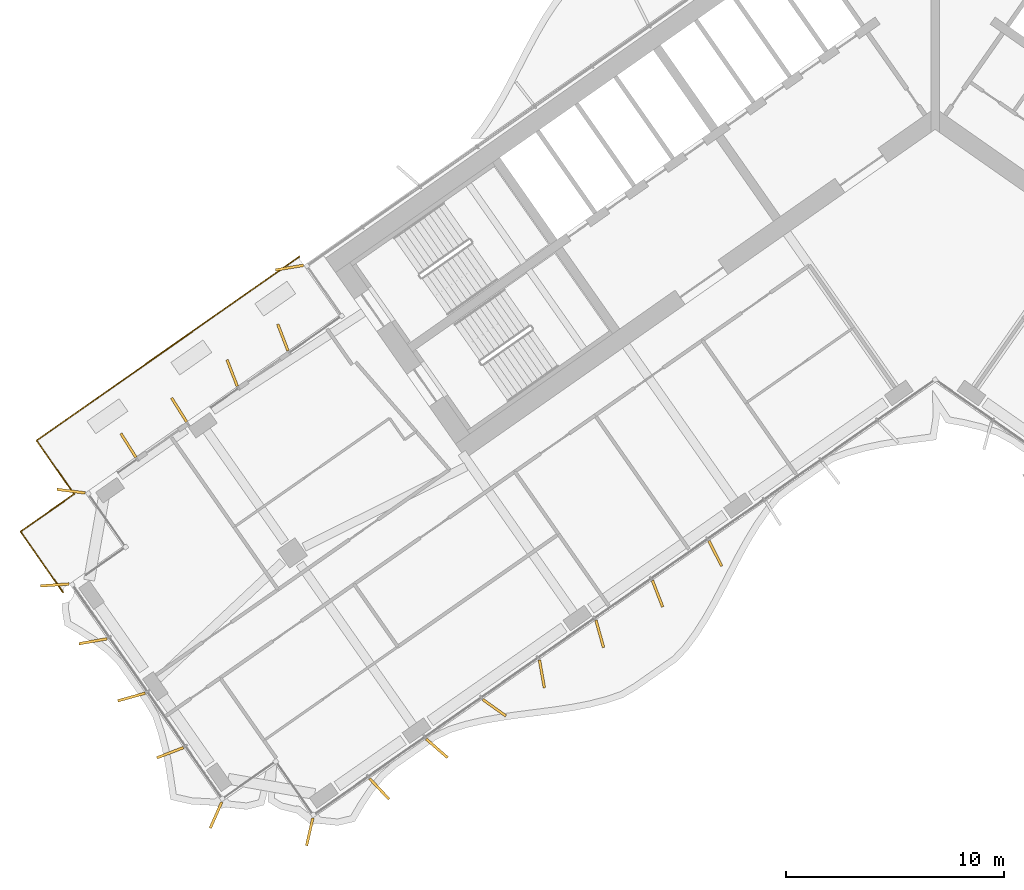
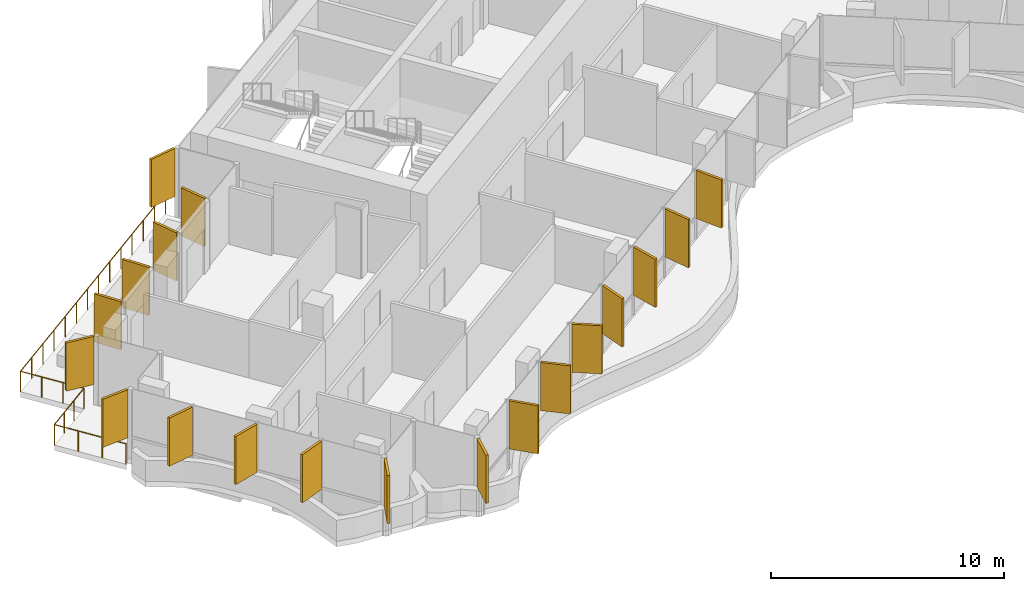
# One storey, part 18 of 24: 19 shading devices, 1 railing.
"""IFC4 building model written with IfcOpenShell, lengths in metres."""

import ifcopenshell
import ifcopenshell.guid

model = None  # the IFC model being written
_history = None  # IfcOwnerHistory: only IFC2X3 demands one
_inside = {}  # id of a spatial element -> (the spatial element, [elements in it])
_under = {}  # id of a project, library or spatial element -> (it, [spatial elements below it])
_declared = {}  # id of a project -> (the project, [libraries it declares])
_typed = {}  # id of a type object -> (the type object, [elements of that type])
_made_of = {}  # id of a material, layer set ... -> (it, [elements and type objects made of it])


def new_model(schema):
    """Start an empty IFC model of exactly this schema.

    Asked for "IFC4X3", IfcOpenShell would pick the latest addendum, in which some entities
    have other attributes; the version numbers below select the first issue.
    IFC2X3 requires an IfcOwnerHistory on every rooted entity: one is made here for all.
    """
    global model, _history
    if schema == "IFC4X3":
        model = ifcopenshell.file(schema_version=(4, 3, 0, 0))
    else:
        model = ifcopenshell.file(schema=schema)
    _inside.clear()
    _under.clear()
    _declared.clear()
    _typed.clear()
    _made_of.clear()
    _history = None
    if model.schema == "IFC2X3":
        org = make("IfcOrganization", Name="unknown")
        user = make(
            "IfcPersonAndOrganization",
            ThePerson=make("IfcPerson", FamilyName="unknown"),
            TheOrganization=org,
        )
        app = make(
            "IfcApplication",
            ApplicationDeveloper=org,
            Version="unknown",
            ApplicationFullName="unknown",
            ApplicationIdentifier="unknown",
        )
        _history = make(
            "IfcOwnerHistory",
            OwningUser=user,
            OwningApplication=app,
            ChangeAction="ADDED",
            CreationDate=0,
        )
    return model


def make(cls, **values):
    """One entity of the class cls with the attributes given. An attribute that is None is left unset."""
    return model.create_entity(
        cls, **{name: value for name, value in values.items() if value is not None}
    )


def rooted(cls, **values):
    """An entity with a GlobalId (a new one), such as an element, a storey or a relation."""
    return make(cls, GlobalId=ifcopenshell.guid.new(), OwnerHistory=_history, **values)


def si_unit(unit_type, name, prefix=None):
    """IfcSIUnit, for example si_unit("LENGTHUNIT", "METRE", prefix="MILLI")."""
    return make("IfcSIUnit", UnitType=unit_type, Prefix=prefix, Name=name)


def assignment(units):
    """IfcUnitAssignment: the units of a project."""
    return None if units is None else make("IfcUnitAssignment", Units=units)


def point(xyz):
    """IfcCartesianPoint."""
    return None if xyz is None else make("IfcCartesianPoint", Coordinates=xyz)


def direction(xyz):
    """IfcDirection."""
    return None if xyz is None else make("IfcDirection", DirectionRatios=xyz)


def frame(location, z_axis=None, x_axis=None):
    """IfcAxis2Placement3D, a coordinate frame: its origin and axes. An axis left out is left unset."""
    return make(
        "IfcAxis2Placement3D",
        Location=point(location),
        Axis=direction(z_axis),
        RefDirection=direction(x_axis),
    )


def frame_2d(location, x_axis=None):
    """IfcAxis2Placement2D, a coordinate frame in the plane: its origin and x axis."""
    return make(
        "IfcAxis2Placement2D", Location=point(location), RefDirection=direction(x_axis)
    )


def origin():
    """The frame at (0, 0, 0) with its axes left unset."""
    return frame((0.0, 0.0, 0.0))


def origin_2d():
    """The frame at (0, 0) in the plane with its x axis left unset."""
    return frame_2d((0.0, 0.0))


def place(relative_to, where):
    """IfcLocalPlacement: puts the frame where relative to a parent placement (None: the world)."""
    return make(
        "IfcLocalPlacement", PlacementRelTo=relative_to, RelativePlacement=where
    )


def context(
    kind, dimensions, precision=None, world=None, true_north=None, identifier=None
):
    """IfcGeometricRepresentationContext, for example the 3D "Model" context."""
    return make(
        "IfcGeometricRepresentationContext",
        ContextIdentifier=identifier,
        ContextType=kind,
        CoordinateSpaceDimension=dimensions,
        Precision=precision,
        WorldCoordinateSystem=world,
        TrueNorth=true_north,
    )


def subcontext(parent, identifier, kind, view, scale=None):
    """IfcGeometricRepresentationSubContext, for example "Body" below "Model"."""
    return make(
        "IfcGeometricRepresentationSubContext",
        ContextIdentifier=identifier,
        ContextType=kind,
        ParentContext=parent,
        TargetScale=scale,
        TargetView=view,
    )


def project(units=None, contexts=None):
    """IfcProject with its units and contexts."""
    return rooted(
        "IfcProject",
        Name="project",
        RepresentationContexts=contexts,
        UnitsInContext=assignment(units),
    )


def spatial(cls, under=None, at=None, **own):
    """A site, building, storey or space (cls), placed at a placement, below another one or the project."""
    s = rooted(cls, ObjectPlacement=at, **own)
    if under is not None:
        _under.setdefault(under.id(), (under, []))[1].append(s)
    return s


def profile(cls, at=None, kind="AREA", **sizes):
    """A parametric profile (cls). Its sizes go by their IFC names, for example OverallWidth=200.0."""
    return make(cls, ProfileType=kind, Position=at, **sizes)


def rectangle(**sizes):
    """IfcRectangleProfileDef."""
    return profile("IfcRectangleProfileDef", **sizes)


def circle(**sizes):
    """IfcCircleProfileDef."""
    return profile("IfcCircleProfileDef", **sizes)


def extrude(swept, where, along, depth):
    """IfcExtrudedAreaSolid: the profile swept, set in the frame where, extruded along a direction by depth."""
    return make(
        "IfcExtrudedAreaSolid",
        SweptArea=swept,
        Position=where,
        ExtrudedDirection=direction(along),
        Depth=depth,
    )


def shape(context_of_items, identifier, shape_type, items):
    """IfcShapeRepresentation: the items that make up one representation, for example the "Body"."""
    return make(
        "IfcShapeRepresentation",
        ContextOfItems=context_of_items,
        RepresentationIdentifier=identifier,
        RepresentationType=shape_type,
        Items=items,
    )


def material(Name=None, Category=None):
    """IfcMaterial."""
    return make("IfcMaterial", Name=Name, Category=Category)


def layer(
    of_material, thickness, ventilated=None, Name=None, Category=None, Priority=None
):
    """IfcMaterialLayer: one layer of a wall or slab, of a material (None: an air gap)."""
    return make(
        "IfcMaterialLayer",
        Material=of_material,
        LayerThickness=thickness,
        IsVentilated=ventilated,
        Name=Name,
        Category=Category,
        Priority=Priority,
    )


def layer_set(layers, Name=None):
    """IfcMaterialLayerSet."""
    return make("IfcMaterialLayerSet", MaterialLayers=layers, LayerSetName=Name)


def made_of(thing, what):
    """Note that an element or type object is made of a material, layer set ...; save() writes the relation."""
    if what is not None:
        _made_of.setdefault(what.id(), (what, []))[1].append(thing)
    return thing


def type_object(cls, material=None, **own):
    """A type object (cls), such as IfcWallType, which elements share."""
    return made_of(rooted(cls, **own), material)


def element(
    cls,
    number,
    at=None,
    inside=None,
    cuts=None,
    type_object=None,
    material=None,
    context=None,
    identifier="Body",
    shape_type=None,
    held_by="IfcProductDefinitionShape",
    body=None,
    shapes=None,
    **own,
):
    """One element of the class cls, such as IfcWall. Its Tag is "e" and its number.

    at: its placement. inside: the storey or other place that contains it. cuts: it is an
    opening in that element (IfcRelVoidsElement). A single representation is given by context,
    identifier, shape_type and body (its items); several are given by shapes. held_by: the class
    of the entity that holds the representations. save() writes the other relations.
    """
    e = rooted(cls, Tag="e%d" % number, ObjectPlacement=at, **own)
    if body is not None:
        shapes = [shape(context, identifier, shape_type, body)]
    if shapes is not None:
        e.Representation = make(held_by, Representations=shapes)
    if inside is not None:
        _inside.setdefault(inside.id(), (inside, []))[1].append(e)
    if cuts is not None:
        rooted(
            "IfcRelVoidsElement", RelatingBuildingElement=cuts, RelatedOpeningElement=e
        )
    if type_object is not None:
        _typed.setdefault(type_object.id(), (type_object, []))[1].append(e)
    return made_of(e, material)


def aggregate(whole, parts):
    """IfcRelAggregates: a whole, such as a stair, and the parts it consists of."""
    return rooted("IfcRelAggregates", RelatingObject=whole, RelatedObjects=parts)


def save(model, path):
    """Write the relations noted so far, then the file.

    IfcRelAggregates (storeys below a building ...), IfcRelContainedInSpatialStructure (elements
    in a storey), IfcRelDefinesByType, IfcRelAssociatesMaterial and IfcRelDeclares: one each for
    every whole, place, type object, material and project.
    """
    for whole, parts in _under.values():
        aggregate(whole, parts)
    for where, things in _inside.values():
        rooted(
            "IfcRelContainedInSpatialStructure",
            RelatedElements=things,
            RelatingStructure=where,
        )
    for kind, things in _typed.values():
        rooted("IfcRelDefinesByType", RelatedObjects=things, RelatingType=kind)
    for what, things in _made_of.values():
        rooted("IfcRelAssociatesMaterial", RelatedObjects=things, RelatingMaterial=what)
    for by, libraries in _declared.values():
        rooted("IfcRelDeclares", RelatingContext=by, RelatedDefinitions=libraries)
    model.write(path)


model = new_model("IFC4")

# Units and contexts
model_context = context("Model", 3, precision=1e-05, world=origin(), true_north=direction((0.0, 1.0)))
body_context = subcontext(model_context, "Body", "Model", "MODEL_VIEW")
ifc_project = project(units=[si_unit("LENGTHUNIT", "METRE"), si_unit("AREAUNIT", "SQUARE_METRE"), si_unit("VOLUMEUNIT", "CUBIC_METRE"), si_unit("PLANEANGLEUNIT", "RADIAN"), si_unit("MASSUNIT", "GRAM", prefix="KILO")], contexts=[model_context])

# Site, building, storey
site_placement = place(None, origin())
site = spatial("IfcSite", under=ifc_project, at=site_placement, CompositionType="ELEMENT")
building_placement = place(site_placement, origin())
building = spatial("IfcBuilding", under=site, at=building_placement, Name="Tel Ilan Convention Tower", CompositionType="ELEMENT")
storey_placement = place(building_placement, frame((0.0, 0.0, 132.0)))
storey = spatial("IfcBuildingStorey", under=building, at=storey_placement, Name="L29", CompositionType="ELEMENT", Elevation=132.0)

# Shading devices
ifc_material_1 = material(Name="Aluminium, bronze anodised", Category="aluminium")
ifc_layer = layer(ifc_material_1, 0.1201171875)
ifc_layer_set = layer_set([ifc_layer], Name="FIN BRONZE 1300x120")
shading_device_type = type_object("IfcShadingDeviceType", Name="FIN BRONZE 1300x120", PredefinedType="USERDEFINED", material=ifc_layer_set)
for number, where, z_axis, x_axis, name in (
    (1, (-29.619140625, -7.562255859375, 1.10009765625), (0.0, 0.0, 1.0), (-0.986445172547, -0.16409119891, 0.0), "FIN"),
    (2, (-29.92138671875, -10.763916015625, 1.10009765625), (0.0, 0.0, 1.0), (-0.360177724803, 0.932883704733, 0.0), "FIN"),
    (3, (-32.24755859375, -12.392822265625, 1.10009765625), (0.0, 0.0, 1.0), (-0.360177724803, 0.932883704733, 0.0), "FIN"),
    (4, (-34.679931640625, -14.087646484375, 1.10009765625), (0.0, 0.0, 1.0), (-0.533204432798, 0.845986425922, 0.0), "FIN"),
    (5, (-37.00634765625, -15.716552734375, 1.10009765625), (0.0, 0.0, 1.0), (-0.533204432798, 0.845986425922, 0.0), "FIN"),
    (6, (-39.632080078125, -17.8154296875, 1.10009765625), (0.0, 0.0, 1.0), (-0.992066016082, 0.125718016748, 0.0), "FIN"),
    (7, (-40.3837890625, -22.117431640625, 1.10009765625), (0.0, 0.0, 1.0), (-0.997697449973, -0.067821812994, 0.0), "FIN"),
    (8, (-38.632568359375, -24.701171875, 1.10009765625), (0.0, 0.0, 1.0), (-0.984807753012, -0.173648177667, 0.0), "FIN"),
    (9, (-36.86474609375, -27.258056640625, 1.10009765625), (0.0, 0.0, 1.0), (-0.963370878614, -0.268172612768, 0.0), "FIN"),
    (10, (-35.091064453125, -29.81298828125, 1.10009765625), (0.0, 0.0, 1.0), (-0.932883704733, -0.360177724803, 0.0), "FIN"),
    (11, (-32.989501953125, -32.67724609375, 1.10009765625), (0.0, 0.0, 1.0), (-0.404964282034, -0.914332505315, 0.0), "FIN"),
    (12, (-28.68994140625, -33.4423828125, 1.10009765625), (0.0, 0.0, 1.0), (-0.221170268371, -0.975235208752, 0.0), "FIN"),
    (13, (-25.499755859375, -31.468505859375, 1.10009765625), (0.0, 0.0, 1.0), (0.686241637865, -0.727373641577, 0.0), "FIN"),
    (14, (-22.85791015625, -29.610595703125, 1.10009765625), (0.0, 0.0, 1.0), (0.753435896329, -0.657521368568, 0.0), "FIN"),
    (15, (-20.220458984375, -27.748779296875, 1.10009765625), (0.0, 0.0, 1.0), (0.813552070258, -0.581492071294, 0.0), "FIN"),
    (16, (-18.038330078125, -26.1982421875, 1.10009765625), (0.0, 0.0, 1.0), (0.173648177667, -0.984807753012, 0.0), "FIN"),
    (17, (-15.384765625, -24.36279296875, 1.10009765625), (0.0, 0.0, 1.0), (0.268172612768, -0.963370878614, 0.0), "FIN"),
    (18, (-12.733154296875, -22.521240234375, 1.10009765625), (0.0, 0.0, 1.0), (0.360177724803, -0.932883704733, 0.0), "FIN"),
    (19, (-10.083740234375, -20.674072265625, 1.10009765625), (0.0, 0.0, 1.0), (0.448799180206, -0.893632640321, 0.0), "FIN"),
):
    element("IfcShadingDevice", number, at=place(storey_placement, frame(where, z_axis=z_axis, x_axis=x_axis)), inside=storey, type_object=shading_device_type, Name=name, ObjectType="FIN", PredefinedType="USERDEFINED", context=body_context, shape_type="SweptSolid", body=[
        extrude(rectangle(XDim=1.300048828125, YDim=0.1201171875, at=origin_2d()), origin(), (0.0, 0.0, 1.0), 2.52001953125),
    ])

# Railing
ifc_material_2 = material(Name="Stainless steel S316", Category="steel")
railing_type = type_object("IfcRailingType", Name="TERRACE GUARD 1100", PredefinedType="GUARDRAIL", material=ifc_material_2)
railing_placement = place(storey_placement, frame((-40.0078125, -22.451171875, 0.0)))
element("IfcRailing", 20, at=railing_placement, inside=storey, type_object=railing_type, Name="Terrace guard 23.02", PredefinedType="GUARDRAIL", context=body_context, shape_type="SweptSolid", body=[
    extrude(circle(Radius=0.02490234375, at=origin_2d()), frame((0.0, 0.0, 1.0751953125), z_axis=(-0.573549255122, 0.819171076119, 0.0), x_axis=(-0.819171076119, -0.573549255122, 0.0)), (0.0, 0.0, 1.0), 3.393310546875),
    extrude(circle(Radius=0.02490234375, at=origin_2d()), frame((-1.9462890625, 2.77978515625, 1.0751953125), z_axis=(0.819136323161, 0.573598887793, 0.0), x_axis=(-0.573598887793, 0.819136323161, 0.0)), (0.0, 0.0, 1.0), 2.999755859375),
    extrude(circle(Radius=0.02490234375, at=origin_2d()), frame((0.510986328125, 4.50048828125, 1.0751953125), z_axis=(-0.573598887793, 0.819136323161, 0.0), x_axis=(-0.819136323161, -0.573598887793, 0.0)), (0.0, 0.0, 1.0), 2.999755859375),
    extrude(circle(Radius=0.02490234375, at=origin_2d()), frame((-1.209716796875, 6.957763671875, 1.0751953125), z_axis=(0.819150858139, 0.573578130345, 0.0), x_axis=(-0.573578130345, 0.819150858139, 0.0)), (0.0, 0.0, 1.0), 14.716552734375),
    extrude(circle(Radius=0.02490234375, at=origin_2d()), origin(), (0.0, 0.0, 1.0), 1.050048828125),
    extrude(circle(Radius=0.02490234375, at=origin_2d()), frame((-0.648681640625, 0.926513671875, 0.0)), (0.0, 0.0, 1.0), 1.050048828125),
    extrude(circle(Radius=0.02490234375, at=origin_2d()), frame((-1.297607421875, 1.853271484375, 0.0)), (0.0, 0.0, 1.0), 1.050048828125),
    extrude(circle(Radius=0.02490234375, at=origin_2d()), frame((-1.9462890625, 2.77978515625, 0.0)), (0.0, 0.0, 1.0), 1.050048828125),
    extrude(circle(Radius=0.02490234375, at=origin_2d()), frame((-1.127197265625, 3.353271484375, 0.0)), (0.0, 0.0, 1.0), 1.050048828125),
    extrude(circle(Radius=0.02490234375, at=origin_2d()), frame((-0.30810546875, 3.927001953125, 0.0)), (0.0, 0.0, 1.0), 1.050048828125),
    extrude(circle(Radius=0.02490234375, at=origin_2d()), frame((0.510986328125, 4.50048828125, 0.0)), (0.0, 0.0, 1.0), 1.050048828125),
    extrude(circle(Radius=0.02490234375, at=origin_2d()), frame((-0.0625, 5.319580078125, 0.0)), (0.0, 0.0, 1.0), 1.050048828125),
    extrude(circle(Radius=0.02490234375, at=origin_2d()), frame((-0.63623046875, 6.138671875, 0.0)), (0.0, 0.0, 1.0), 1.050048828125),
    extrude(circle(Radius=0.02490234375, at=origin_2d()), frame((-1.209716796875, 6.957763671875, 0.0)), (0.0, 0.0, 1.0), 1.050048828125),
    extrude(circle(Radius=0.02490234375, at=origin_2d()), frame((-0.282470703125, 7.607177734375, 0.0)), (0.0, 0.0, 1.0), 1.050048828125),
    extrude(circle(Radius=0.02490234375, at=origin_2d()), frame((0.64501953125, 8.25634765625, 0.0)), (0.0, 0.0, 1.0), 1.050048828125),
    extrude(circle(Radius=0.02490234375, at=origin_2d()), frame((1.572265625, 8.90576171875, 0.0)), (0.0, 0.0, 1.0), 1.050048828125),
    extrude(circle(Radius=0.02490234375, at=origin_2d()), frame((2.49951171875, 9.554931640625, 0.0)), (0.0, 0.0, 1.0), 1.050048828125),
    extrude(circle(Radius=0.02490234375, at=origin_2d()), frame((3.427001953125, 10.204345703125, 0.0)), (0.0, 0.0, 1.0), 1.050048828125),
    extrude(circle(Radius=0.02490234375, at=origin_2d()), frame((4.354248046875, 10.853759765625, 0.0)), (0.0, 0.0, 1.0), 1.050048828125),
    extrude(circle(Radius=0.02490234375, at=origin_2d()), frame((5.281494140625, 11.5029296875, 0.0)), (0.0, 0.0, 1.0), 1.050048828125),
    extrude(circle(Radius=0.02490234375, at=origin_2d()), frame((6.208740234375, 12.15234375, 0.0)), (0.0, 0.0, 1.0), 1.050048828125),
    extrude(circle(Radius=0.02490234375, at=origin_2d()), frame((7.13623046875, 12.8017578125, 0.0)), (0.0, 0.0, 1.0), 1.050048828125),
    extrude(circle(Radius=0.02490234375, at=origin_2d()), frame((8.0634765625, 13.450927734375, 0.0)), (0.0, 0.0, 1.0), 1.050048828125),
    extrude(circle(Radius=0.02490234375, at=origin_2d()), frame((8.99072265625, 14.100341796875, 0.0)), (0.0, 0.0, 1.0), 1.050048828125),
    extrude(circle(Radius=0.02490234375, at=origin_2d()), frame((9.918212890625, 14.74951171875, 0.0)), (0.0, 0.0, 1.0), 1.050048828125),
    extrude(circle(Radius=0.02490234375, at=origin_2d()), frame((10.845458984375, 15.39892578125, 0.0)), (0.0, 0.0, 1.0), 1.050048828125),
])

save(model, "model.ifc")
